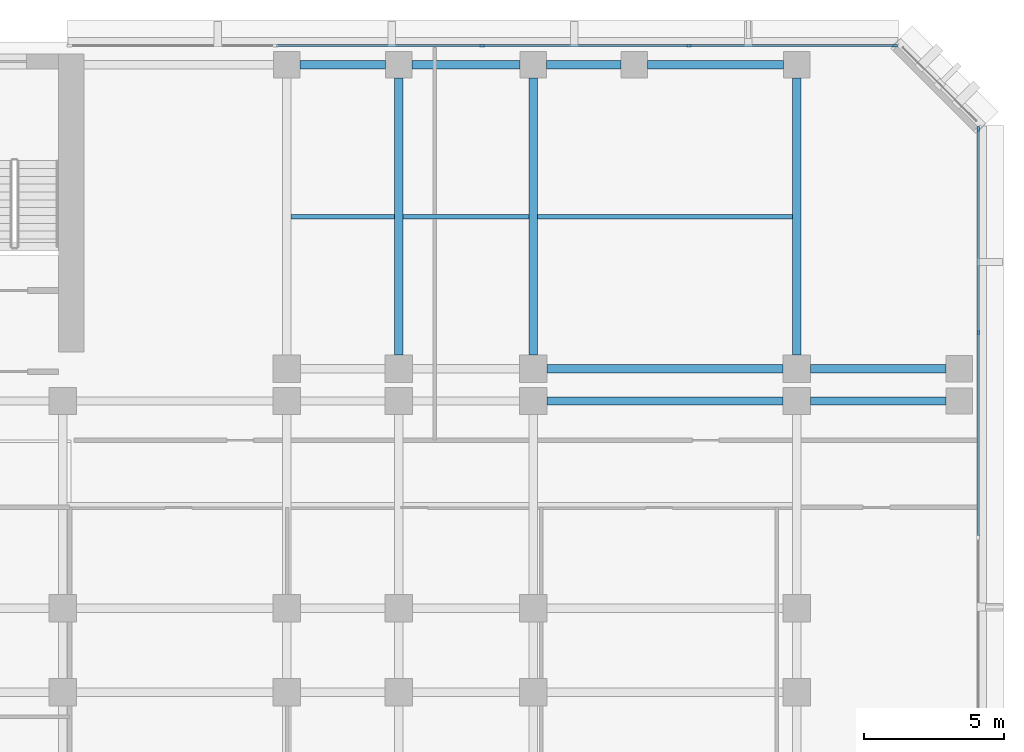
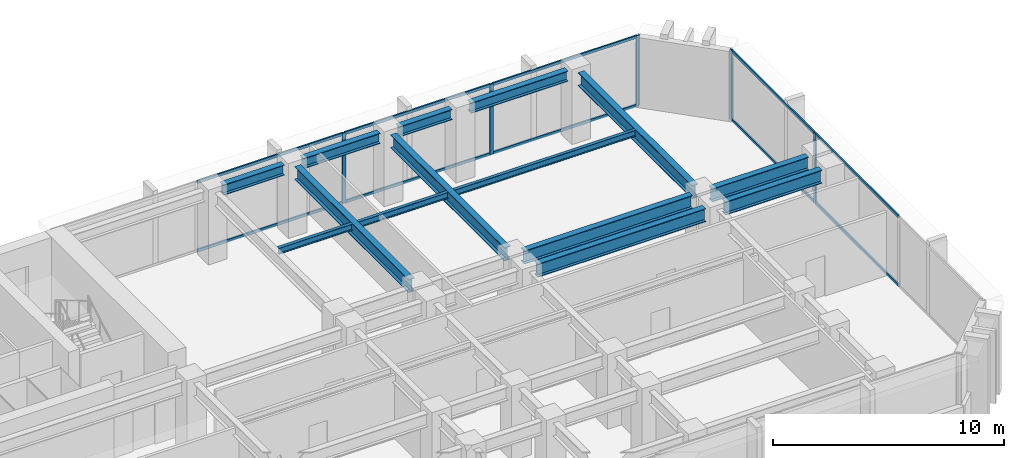
# One storey, part 5 of 13: 15 members, 14 beams, 2 elements without a shape of their own.
"""IFC4 building model written with IfcOpenShell, lengths in metres."""

from ifc_helpers import new_model, si_unit, direction, frame, origin, origin_2d, place, context, subcontext, project, spatial, rectangle, i_section, extrude, material, layer, layer_set, material_profile, profile_set, type_object, element, aggregate, save


model = new_model("IFC4")

# Units and contexts
model_context = context("Model", 3, precision=1e-05, world=origin(), true_north=direction((0.0, 1.0)))
body_context = subcontext(model_context, "Body", "Model", "MODEL_VIEW")
ifc_project = project(units=[si_unit("LENGTHUNIT", "METRE"), si_unit("AREAUNIT", "SQUARE_METRE"), si_unit("VOLUMEUNIT", "CUBIC_METRE"), si_unit("PLANEANGLEUNIT", "RADIAN"), si_unit("MASSUNIT", "GRAM", prefix="KILO")], contexts=[model_context])

# Site, building, storey
site_placement = place(None, origin())
site = spatial("IfcSite", under=ifc_project, at=site_placement, CompositionType="ELEMENT")
building_placement = place(site_placement, origin())
building = spatial("IfcBuilding", under=site, at=building_placement, Name="Kefirva Bronze Tower", CompositionType="ELEMENT")
storey_placement = place(building_placement, frame((0.0, 0.0, 54.1201171875)))
storey = spatial("IfcBuildingStorey", under=building, at=storey_placement, Name="L12", CompositionType="ELEMENT", Elevation=54.1201171875)

# Curtain wall, members
ifc_material_1 = material(Name="Bronze anodised aluminium", Category="aluminium")
ifc_layer = layer(ifc_material_1, 0.199951171875, Name="Bronze anodised aluminium")
ifc_layer_set = layer_set([ifc_layer], Name="Bronze anodised aluminium")
curtain_wall_type = type_object("IfcCurtainWallType", Name="Unitised Bronze Ribbon Curtain Wall Zone 1", PredefinedType="USERDEFINED", material=ifc_layer_set)
curtain_wall_1_placement = place(storey_placement, origin())
curtain_wall_1 = element("IfcCurtainWall", 1, at=curtain_wall_1_placement, inside=storey, type_object=curtain_wall_type, Name="L12 Curtain Wall 3", ObjectType="UNITISED CURTAIN WALL", PredefinedType="USERDEFINED")
ifc_material_profile_1 = material_profile(ifc_material_1, rectangle(XDim=0.074951171875, YDim=0.179931640625, at=origin_2d()), Name="ALU 75x180")
ifc_profile_set_1 = profile_set([ifc_material_profile_1], Name="Bronze anodised aluminium")
member_type_1 = type_object("IfcMemberType", Name="Bronze Mullion 75x180", PredefinedType="MULLION", material=ifc_profile_set_1)
member_1_placement = place(storey_placement, frame((55.8798828125, 35.6484375, 0.0), z_axis=(0.0, 0.0, 1.0), x_axis=(-1.0, 0.0, 0.0)))
member_1 = element("IfcMember", 2, at=member_1_placement, type_object=member_type_1, Name="CW-01 mullion 3", PredefinedType="MULLION", context=body_context, shape_type="SweptSolid", body=[
    extrude(rectangle(XDim=0.074951171875, YDim=0.179931640625, at=origin_2d()), origin(), (0.0, 0.0, 1.0), 3.7099609375),
])
member_2_placement = place(storey_placement, frame((55.8798828125, 42.907470703125, 0.0), z_axis=(0.0, 0.0, 1.0), x_axis=(-1.0, 0.0, 0.0)))
member_2 = element("IfcMember", 3, at=member_2_placement, type_object=member_type_1, Name="CW-01 mullion 4", PredefinedType="MULLION", context=body_context, shape_type="SweptSolid", body=[
    extrude(rectangle(XDim=0.074951171875, YDim=0.179931640625, at=origin_2d()), origin(), (0.0, 0.0, 1.0), 3.7099609375),
])

curtain_wall_2_placement = place(storey_placement, origin())
curtain_wall_2 = element("IfcCurtainWall", 4, at=curtain_wall_2_placement, inside=storey, type_object=curtain_wall_type, Name="L12 Curtain Wall 4", ObjectType="UNITISED CURTAIN WALL", PredefinedType="USERDEFINED")
member_3_placement = place(storey_placement, frame((52.907470703125, 45.8798828125, 0.0), z_axis=(0.0, 0.0, 1.0), x_axis=(0.0, -1.0, 0.0)))
member_3 = element("IfcMember", 5, at=member_3_placement, type_object=member_type_1, Name="CW-01 mullion 1", PredefinedType="MULLION", context=body_context, shape_type="SweptSolid", body=[
    extrude(rectangle(XDim=0.074951171875, YDim=0.179931640625, at=origin_2d()), origin(), (0.0, 0.0, 1.0), 3.7099609375),
])
member_4_placement = place(storey_placement, frame((45.56005859375, 45.8798828125, 0.0), z_axis=(0.0, 0.0, 1.0), x_axis=(0.0, -1.0, 0.0)))
member_4 = element("IfcMember", 6, at=member_4_placement, type_object=member_type_1, Name="CW-01 mullion 2", PredefinedType="MULLION", context=body_context, shape_type="SweptSolid", body=[
    extrude(rectangle(XDim=0.074951171875, YDim=0.179931640625, at=origin_2d()), origin(), (0.0, 0.0, 1.0), 3.7099609375),
])
member_5_placement = place(storey_placement, frame((38.175048828125, 45.8798828125, 0.0), z_axis=(0.0, 0.0, 1.0), x_axis=(0.0, -1.0, 0.0)))
member_5 = element("IfcMember", 7, at=member_5_placement, type_object=member_type_1, Name="CW-01 mullion 3", PredefinedType="MULLION", context=body_context, shape_type="SweptSolid", body=[
    extrude(rectangle(XDim=0.074951171875, YDim=0.179931640625, at=origin_2d()), origin(), (0.0, 0.0, 1.0), 3.7099609375),
])

# Member
ifc_material_profile_2 = material_profile(ifc_material_1, rectangle(XDim=0.074951171875, YDim=0.14990234375, at=origin_2d()), Name="ALU 75x150")
ifc_profile_set_2 = profile_set([ifc_material_profile_2], Name="Bronze anodised aluminium")
member_type_2 = type_object("IfcMemberType", Name="Bronze Transom 75x150", PredefinedType="USERDEFINED", material=ifc_profile_set_2)
member_6_placement = place(storey_placement, frame((55.8798828125, 28.38916015625, 0.037353515625), z_axis=(0.0, 1.0, 0.0), x_axis=(-1.0, 0.0, 0.0)))
member_6 = element("IfcMember", 8, at=member_6_placement, type_object=member_type_2, Name="CW-01 transom 2.1", ObjectType="TRANSOM", PredefinedType="USERDEFINED", context=body_context, shape_type="SweptSolid", body=[
    extrude(rectangle(XDim=0.074951171875, YDim=0.14990234375, at=origin_2d()), origin(), (0.0, 0.0, 1.0), 7.2216796875),
])

member_7_placement = place(storey_placement, frame((55.8798828125, 28.38916015625, 3.67236328125), z_axis=(0.0, 1.0, 0.0), x_axis=(-1.0, 0.0, 0.0)))
member_7 = element("IfcMember", 9, at=member_7_placement, type_object=member_type_2, Name="CW-01 transom 2.2", ObjectType="TRANSOM", PredefinedType="USERDEFINED", context=body_context, shape_type="SweptSolid", body=[
    extrude(rectangle(XDim=0.074951171875, YDim=0.14990234375, at=origin_2d()), origin(), (0.0, 0.0, 1.0), 7.2216796875),
])

member_8_placement = place(storey_placement, frame((55.8798828125, 35.685791015625, 0.037353515625), z_axis=(0.0, 1.0, 0.0), x_axis=(-1.0, 0.0, 0.0)))
member_8 = element("IfcMember", 10, at=member_8_placement, type_object=member_type_2, Name="CW-01 transom 3.1", ObjectType="TRANSOM", PredefinedType="USERDEFINED", context=body_context, shape_type="SweptSolid", body=[
    extrude(rectangle(XDim=0.074951171875, YDim=0.14990234375, at=origin_2d()), origin(), (0.0, 0.0, 1.0), 7.184326171875),
])

member_9_placement = place(storey_placement, frame((55.8798828125, 35.685791015625, 3.67236328125), z_axis=(0.0, 1.0, 0.0), x_axis=(-1.0, 0.0, 0.0)))
member_9 = element("IfcMember", 11, at=member_9_placement, type_object=member_type_2, Name="CW-01 transom 3.2", ObjectType="TRANSOM", PredefinedType="USERDEFINED", context=body_context, shape_type="SweptSolid", body=[
    extrude(rectangle(XDim=0.074951171875, YDim=0.14990234375, at=origin_2d()), origin(), (0.0, 0.0, 1.0), 7.184326171875),
])

aggregate(curtain_wall_1, [member_1, member_2, member_6, member_7, member_8, member_9])

member_10_placement = place(storey_placement, frame((52.8701171875, 45.8798828125, 0.037353515625), z_axis=(-1.0, 0.0, 0.0), x_axis=(0.0, -1.0, 0.0)))
member_10 = element("IfcMember", 12, at=member_10_placement, type_object=member_type_2, Name="CW-01 transom 1.1", ObjectType="TRANSOM", PredefinedType="USERDEFINED", context=body_context, shape_type="SweptSolid", body=[
    extrude(rectangle(XDim=0.074951171875, YDim=0.14990234375, at=origin_2d()), origin(), (0.0, 0.0, 1.0), 7.272705078125),
])

member_11_placement = place(storey_placement, frame((52.8701171875, 45.8798828125, 3.67236328125), z_axis=(-1.0, 0.0, 0.0), x_axis=(0.0, -1.0, 0.0)))
member_11 = element("IfcMember", 13, at=member_11_placement, type_object=member_type_2, Name="CW-01 transom 1.2", ObjectType="TRANSOM", PredefinedType="USERDEFINED", context=body_context, shape_type="SweptSolid", body=[
    extrude(rectangle(XDim=0.074951171875, YDim=0.14990234375, at=origin_2d()), origin(), (0.0, 0.0, 1.0), 7.272705078125),
])

member_12_placement = place(storey_placement, frame((45.5224609375, 45.8798828125, 0.037353515625), z_axis=(-1.0, 0.0, 0.0), x_axis=(0.0, -1.0, 0.0)))
member_12 = element("IfcMember", 14, at=member_12_placement, type_object=member_type_2, Name="CW-01 transom 2.1", ObjectType="TRANSOM", PredefinedType="USERDEFINED", context=body_context, shape_type="SweptSolid", body=[
    extrude(rectangle(XDim=0.074951171875, YDim=0.14990234375, at=origin_2d()), origin(), (0.0, 0.0, 1.0), 7.31005859375),
])

member_13_placement = place(storey_placement, frame((45.5224609375, 45.8798828125, 3.67236328125), z_axis=(-1.0, 0.0, 0.0), x_axis=(0.0, -1.0, 0.0)))
member_13 = element("IfcMember", 15, at=member_13_placement, type_object=member_type_2, Name="CW-01 transom 2.2", ObjectType="TRANSOM", PredefinedType="USERDEFINED", context=body_context, shape_type="SweptSolid", body=[
    extrude(rectangle(XDim=0.074951171875, YDim=0.14990234375, at=origin_2d()), origin(), (0.0, 0.0, 1.0), 7.31005859375),
])

member_14_placement = place(storey_placement, frame((38.137451171875, 45.8798828125, 0.037353515625), z_axis=(-1.0, 0.0, 0.0), x_axis=(0.0, -1.0, 0.0)))
member_14 = element("IfcMember", 16, at=member_14_placement, type_object=member_type_2, Name="CW-01 transom 3.1", ObjectType="TRANSOM", PredefinedType="USERDEFINED", context=body_context, shape_type="SweptSolid", body=[
    extrude(rectangle(XDim=0.074951171875, YDim=0.14990234375, at=origin_2d()), origin(), (0.0, 0.0, 1.0), 7.31005859375),
])

member_15_placement = place(storey_placement, frame((38.137451171875, 45.8798828125, 3.67236328125), z_axis=(-1.0, 0.0, 0.0), x_axis=(0.0, -1.0, 0.0)))
member_15 = element("IfcMember", 17, at=member_15_placement, type_object=member_type_2, Name="CW-01 transom 3.2", ObjectType="TRANSOM", PredefinedType="USERDEFINED", context=body_context, shape_type="SweptSolid", body=[
    extrude(rectangle(XDim=0.074951171875, YDim=0.14990234375, at=origin_2d()), origin(), (0.0, 0.0, 1.0), 7.31005859375),
])

aggregate(curtain_wall_2, [member_3, member_4, member_5, member_10, member_11, member_12, member_13, member_14, member_15])

# Beams
ifc_material_2 = material(Name="Steel S355", Category="steel")
ifc_material_profile_3 = material_profile(ifc_material_2, i_section(OverallWidth=0.159912109375, OverallDepth=0.330078125, WebThickness=0.007568359375, FlangeThickness=0.011474609375, at=origin_2d()), Name="IPE 330")
ifc_profile_set_3 = profile_set([ifc_material_profile_3], Name="Steel S355")
beam_type_1 = type_object("IfcBeamType", Name="Steel Floor Joist IPE 330", PredefinedType="JOIST", material=ifc_profile_set_3)
beam_1_placement = place(storey_placement, frame((31.35009765625, 39.784912109375, 3.544921875), z_axis=(1.0, 0.0, 0.0), x_axis=(0.0, 1.0, 0.0)))
element("IfcBeam", 18, at=beam_1_placement, inside=storey, type_object=beam_type_1, Name="L12 JST-L12-31-397", PredefinedType="JOIST", context=body_context, shape_type="SweptSolid", body=[
    extrude(i_section(OverallWidth=0.159912109375, OverallDepth=0.330078125, WebThickness=0.007568359375, FlangeThickness=0.011474609375, at=origin_2d()), origin(), (0.0, 0.0, 1.0), 3.699951171875),
])
beam_2_placement = place(storey_placement, frame((35.35009765625, 39.784912109375, 3.544921875), z_axis=(1.0, 0.0, 0.0), x_axis=(0.0, 1.0, 0.0)))
element("IfcBeam", 19, at=beam_2_placement, inside=storey, type_object=beam_type_1, Name="L12 JST-L12-35-397", PredefinedType="JOIST", context=body_context, shape_type="SweptSolid", body=[
    extrude(i_section(OverallWidth=0.159912109375, OverallDepth=0.330078125, WebThickness=0.007568359375, FlangeThickness=0.011474609375, at=origin_2d()), origin(), (0.0, 0.0, 1.0), 4.5),
])
beam_3_placement = place(storey_placement, frame((40.14990234375, 39.784912109375, 3.544921875), z_axis=(1.0, 0.0, 0.0), x_axis=(0.0, 1.0, 0.0)))
element("IfcBeam", 20, at=beam_3_placement, inside=storey, type_object=beam_type_1, Name="L12 JST-L12-40-397", PredefinedType="JOIST", context=body_context, shape_type="SweptSolid", body=[
    extrude(i_section(OverallWidth=0.159912109375, OverallDepth=0.330078125, WebThickness=0.007568359375, FlangeThickness=0.011474609375, at=origin_2d()), origin(), (0.0, 0.0, 1.0), 9.10009765625),
])
ifc_material_profile_4 = material_profile(ifc_material_2, i_section(OverallWidth=0.300048828125, OverallDepth=0.699951171875, WebThickness=0.01708984375, FlangeThickness=0.031982421875, at=origin_2d()), Name="HEB 700")
ifc_profile_set_4 = profile_set([ifc_material_profile_4], Name="Steel S355")
beam_type_2 = type_object("IfcBeamType", Name="Steel Girder HEB 700", PredefinedType="USERDEFINED", material=ifc_profile_set_4)
beam_4_placement = place(storey_placement, frame((40.489990234375, 33.199951171875, 3.35986328125), z_axis=(1.0, 0.0, 0.0), x_axis=(0.0, 1.0, 0.0)))
element("IfcBeam", 21, at=beam_4_placement, inside=storey, type_object=beam_type_2, Name="L12 BM-L12-EW-40-332", ObjectType="GIRDER", PredefinedType="USERDEFINED", context=body_context, shape_type="SweptSolid", body=[
    extrude(i_section(OverallWidth=0.300048828125, OverallDepth=0.699951171875, WebThickness=0.01708984375, FlangeThickness=0.031982421875, at=origin_2d()), origin(), (0.0, 0.0, 1.0), 8.419921875),
])
beam_5_placement = place(storey_placement, frame((49.889892578125, 33.199951171875, 3.35986328125), z_axis=(1.0, 0.0, 0.0), x_axis=(0.0, 1.0, 0.0)))
element("IfcBeam", 22, at=beam_5_placement, inside=storey, type_object=beam_type_2, Name="L12 BM-L12-EW-49-332", ObjectType="GIRDER", PredefinedType="USERDEFINED", context=body_context, shape_type="SweptSolid", body=[
    extrude(i_section(OverallWidth=0.300048828125, OverallDepth=0.699951171875, WebThickness=0.01708984375, FlangeThickness=0.031982421875, at=origin_2d()), origin(), (0.0, 0.0, 1.0), 4.840087890625),
])
beam_6_placement = place(storey_placement, frame((40.489990234375, 34.35009765625, 3.35986328125), z_axis=(1.0, 0.0, 0.0), x_axis=(0.0, 1.0, 0.0)))
element("IfcBeam", 23, at=beam_6_placement, inside=storey, type_object=beam_type_2, Name="L12 BM-L12-EW-40-344", ObjectType="GIRDER", PredefinedType="USERDEFINED", context=body_context, shape_type="SweptSolid", body=[
    extrude(i_section(OverallWidth=0.300048828125, OverallDepth=0.699951171875, WebThickness=0.01708984375, FlangeThickness=0.031982421875, at=origin_2d()), origin(), (0.0, 0.0, 1.0), 8.419921875),
])
beam_7_placement = place(storey_placement, frame((49.889892578125, 34.35009765625, 3.35986328125), z_axis=(1.0, 0.0, 0.0), x_axis=(0.0, 1.0, 0.0)))
element("IfcBeam", 24, at=beam_7_placement, inside=storey, type_object=beam_type_2, Name="L12 BM-L12-EW-49-344", ObjectType="GIRDER", PredefinedType="USERDEFINED", context=body_context, shape_type="SweptSolid", body=[
    extrude(i_section(OverallWidth=0.300048828125, OverallDepth=0.699951171875, WebThickness=0.01708984375, FlangeThickness=0.031982421875, at=origin_2d()), origin(), (0.0, 0.0, 1.0), 4.840087890625),
])
for number, where, z_axis, x_axis, name in (
    (25, (35.199951171875, 34.840087890625, 3.35986328125), (0.0, 1.0, 0.0), (-1.0, 0.0, 0.0), "L12 BM-L12-NS-352-34"),
    (26, (40.0, 34.840087890625, 3.35986328125), (0.0, 1.0, 0.0), (-1.0, 0.0, 0.0), "L12 BM-L12-NS-400-34"),
    (27, (49.39990234375, 34.840087890625, 3.35986328125), (0.0, 1.0, 0.0), (-1.0, 0.0, 0.0), "L12 BM-L12-NS-494-34"),
):
    element("IfcBeam", number, at=place(storey_placement, frame(where, z_axis=z_axis, x_axis=x_axis)), inside=storey, type_object=beam_type_2, Name=name, ObjectType="GIRDER", PredefinedType="USERDEFINED", context=body_context, shape_type="SweptSolid", body=[
        extrude(i_section(OverallWidth=0.300048828125, OverallDepth=0.699951171875, WebThickness=0.01708984375, FlangeThickness=0.031982421875, at=origin_2d()), origin(), (0.0, 0.0, 1.0), 9.889892578125),
    ])
ifc_material_profile_5 = material_profile(ifc_material_2, i_section(OverallWidth=0.300048828125, OverallDepth=0.550048828125, WebThickness=0.014892578125, FlangeThickness=0.029052734375, at=origin_2d()), Name="HEB 550")
ifc_profile_set_5 = profile_set([ifc_material_profile_5], Name="Steel S355")
beam_type_3 = type_object("IfcBeamType", Name="Steel Spandrel HEB 550 Ext", PredefinedType="SPANDREL", material=ifc_profile_set_5)
beam_8_placement = place(storey_placement, frame((31.669921875, 45.199951171875, 3.434814453125), z_axis=(1.0, 0.0, 0.0), x_axis=(0.0, 1.0, 0.0)))
element("IfcBeam", 28, at=beam_8_placement, inside=storey, type_object=beam_type_3, Name="L12 BM-L12-EW-31-452", PredefinedType="SPANDREL", context=body_context, shape_type="SweptSolid", body=[
    extrude(i_section(OverallWidth=0.300048828125, OverallDepth=0.550048828125, WebThickness=0.014892578125, FlangeThickness=0.029052734375, at=origin_2d()), origin(), (0.0, 0.0, 1.0), 3.06005859375),
])
beam_9_placement = place(storey_placement, frame((35.669921875, 45.199951171875, 3.434814453125), z_axis=(1.0, 0.0, 0.0), x_axis=(0.0, 1.0, 0.0)))
element("IfcBeam", 29, at=beam_9_placement, inside=storey, type_object=beam_type_3, Name="L12 BM-L12-EW-35-452", PredefinedType="SPANDREL", context=body_context, shape_type="SweptSolid", body=[
    extrude(i_section(OverallWidth=0.300048828125, OverallDepth=0.550048828125, WebThickness=0.014892578125, FlangeThickness=0.029052734375, at=origin_2d()), origin(), (0.0, 0.0, 1.0), 3.860107421875),
])
beam_10_placement = place(storey_placement, frame((40.469970703125, 45.199951171875, 3.434814453125), z_axis=(1.0, 0.0, 0.0), x_axis=(0.0, 1.0, 0.0)))
element("IfcBeam", 30, at=beam_10_placement, inside=storey, type_object=beam_type_3, Name="L12 BM-L12-EW-40-452", PredefinedType="SPANDREL", context=body_context, shape_type="SweptSolid", body=[
    extrude(i_section(OverallWidth=0.300048828125, OverallDepth=0.550048828125, WebThickness=0.014892578125, FlangeThickness=0.029052734375, at=origin_2d()), origin(), (0.0, 0.0, 1.0), 2.659912109375),
])
beam_11_placement = place(storey_placement, frame((44.070068359375, 45.199951171875, 3.434814453125), z_axis=(1.0, 0.0, 0.0), x_axis=(0.0, 1.0, 0.0)))
element("IfcBeam", 31, at=beam_11_placement, inside=storey, type_object=beam_type_3, Name="L12 BM-L12-EW-43-452", PredefinedType="SPANDREL", context=body_context, shape_type="SweptSolid", body=[
    extrude(i_section(OverallWidth=0.300048828125, OverallDepth=0.550048828125, WebThickness=0.014892578125, FlangeThickness=0.029052734375, at=origin_2d()), origin(), (0.0, 0.0, 1.0), 4.85986328125),
])

save(model, "model.ifc")
